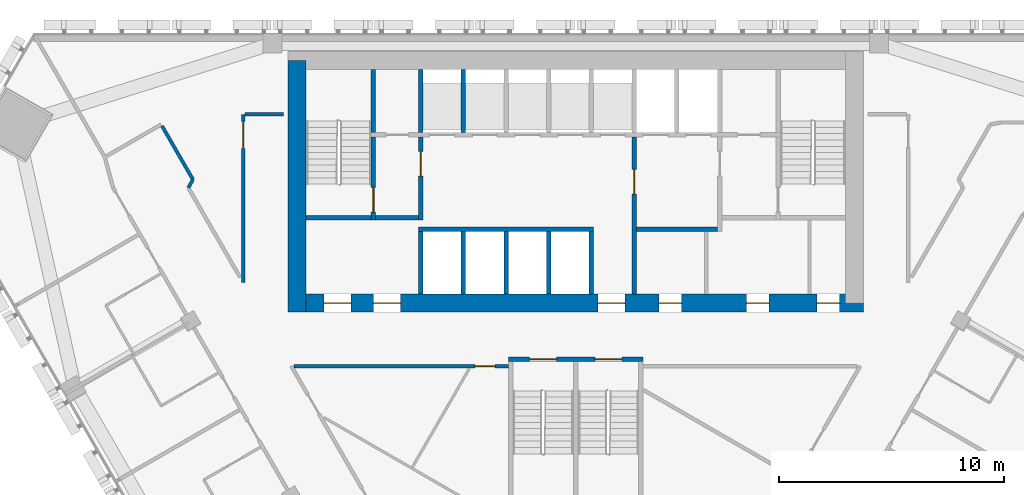
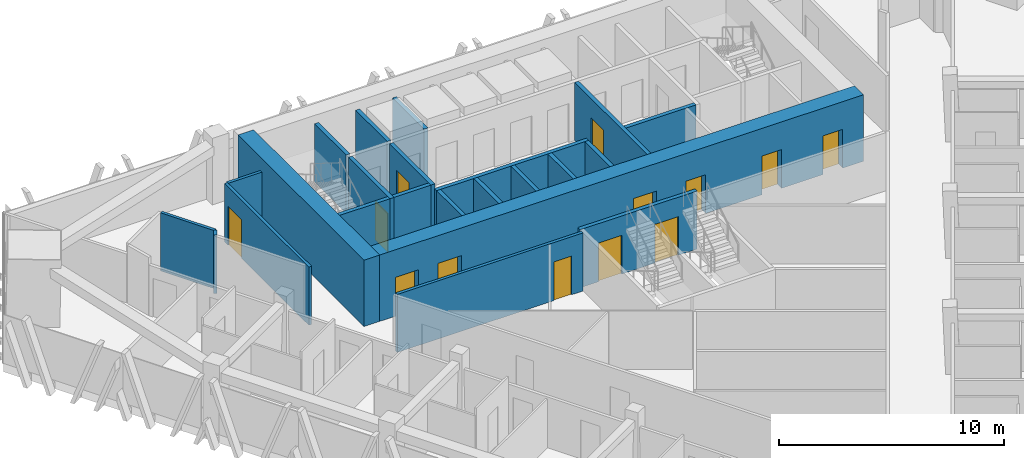
# One storey, part 11 of 16: 23 walls, 13 doors, 13 openings.
"""IFC4 building model written with IfcOpenShell, lengths in metres."""

from ifc_helpers import new_model, si_unit, direction, frame, frame_2d, origin, place, context, subcontext, project, spatial, rectangle, extrude, material, layer, layer_set, type_object, element, fill, save


model = new_model("IFC4")

# Units and contexts
model_context = context("Model", 3, precision=1e-05, world=origin(), true_north=direction((0.0, 1.0)))
body_context = subcontext(model_context, "Body", "Model", "MODEL_VIEW")
ifc_project = project(units=[si_unit("LENGTHUNIT", "METRE"), si_unit("AREAUNIT", "SQUARE_METRE"), si_unit("VOLUMEUNIT", "CUBIC_METRE"), si_unit("PLANEANGLEUNIT", "RADIAN"), si_unit("MASSUNIT", "GRAM", prefix="KILO")], contexts=[model_context])

# Site, building, storey
site_placement = place(None, origin())
site = spatial("IfcSite", under=ifc_project, at=site_placement, CompositionType="ELEMENT")
building_placement = place(site_placement, origin())
building = spatial("IfcBuilding", under=site, at=building_placement, Name="Altiplano Prism Tower", CompositionType="ELEMENT")
storey_placement = place(building_placement, frame((0.0, 0.0, 124.199951171875)))
storey = spatial("IfcBuildingStorey", under=building, at=storey_placement, Name="L31", CompositionType="ELEMENT", Elevation=124.199951171875)

# Wall, openings, doors
ifc_material_1 = material(Name="Concrete C60/75", Category="concrete")
ifc_layer_1 = layer(ifc_material_1, 0.800048828125)
ifc_layer_set_1 = layer_set([ifc_layer_1], Name="Concrete C60/75")
wall_type_1 = type_object("IfcWallType", Name="Core wall 800", PredefinedType="SHEAR", material=ifc_layer_set_1)
wall_1_placement = place(storey_placement, frame((72.60009765625, 93.0, 0.0), z_axis=(0.0, 0.0, 1.0), x_axis=(1.0, 0.0, 0.0)))
wall_1 = element("IfcWall", 1, at=wall_1_placement, inside=storey, type_object=wall_type_1, Name="Core wall S L31", PredefinedType="SHEAR", context=body_context, shape_type="SweptSolid", body=[
    extrude(rectangle(XDim=25.199951171875, YDim=0.800048828125, at=frame_2d((12.60009765625, 0.0))), origin(), (0.0, 0.0, 1.0), 3.60009765625),
])
opening_1_placement = place(wall_1_placement, frame((1.199951171875, 0.0, 0.0)))
opening_1 = element("IfcOpeningElement", 2, at=opening_1_placement, cuts=wall_1, Name="Opening D3003", PredefinedType="OPENING", context=body_context, shape_type="SweptSolid", body=[
    extrude(rectangle(XDim=1.199951171875, YDim=2.10009765625, at=frame_2d((0.60009765625, 1.050048828125))), frame((0.0, 0.41064453125, 0.0), z_axis=(0.0, -1.0, 0.0), x_axis=(1.0, 0.0, 0.0)), (0.0, 0.0, 1.0), 0.821044921875),
])
opening_2_placement = place(wall_1_placement, frame((3.39990234375, 0.0, 0.0)))
opening_2 = element("IfcOpeningElement", 3, at=opening_2_placement, cuts=wall_1, Name="Opening D3004", PredefinedType="OPENING", context=body_context, shape_type="SweptSolid", body=[
    extrude(rectangle(XDim=1.199951171875, YDim=2.10009765625, at=frame_2d((0.60009765625, 1.050048828125))), frame((0.0, 0.41064453125, 0.0), z_axis=(0.0, -1.0, 0.0), x_axis=(1.0, 0.0, 0.0)), (0.0, 0.0, 1.0), 0.821044921875),
])
opening_3_placement = place(wall_1_placement, frame((13.39990234375, 0.0, 0.0)))
opening_3 = element("IfcOpeningElement", 4, at=opening_3_placement, cuts=wall_1, Name="Opening D3005", PredefinedType="OPENING", context=body_context, shape_type="SweptSolid", body=[
    extrude(rectangle(XDim=1.199951171875, YDim=2.10009765625, at=frame_2d((0.60009765625, 1.050048828125))), frame((0.0, 0.41064453125, 0.0), z_axis=(0.0, -1.0, 0.0), x_axis=(1.0, 0.0, 0.0)), (0.0, 0.0, 1.0), 0.821044921875),
])
opening_4_placement = place(wall_1_placement, frame((16.112548828125, 0.0, 0.0)))
opening_4 = element("IfcOpeningElement", 5, at=opening_4_placement, cuts=wall_1, Name="Opening D3008", PredefinedType="OPENING", context=body_context, shape_type="SweptSolid", body=[
    extrude(rectangle(XDim=1.0, YDim=2.10009765625, at=frame_2d((0.5, 1.050048828125))), frame((0.0, 0.41064453125, 0.0), z_axis=(0.0, -1.0, 0.0), x_axis=(1.0, 0.0, 0.0)), (0.0, 0.0, 1.0), 0.821044921875),
])
opening_5_placement = place(wall_1_placement, frame((20.0, 0.0, 0.0)))
opening_5 = element("IfcOpeningElement", 6, at=opening_5_placement, cuts=wall_1, Name="Opening D3009", PredefinedType="OPENING", context=body_context, shape_type="SweptSolid", body=[
    extrude(rectangle(XDim=1.0, YDim=2.10009765625, at=frame_2d((0.5, 1.050048828125))), frame((0.0, 0.41064453125, 0.0), z_axis=(0.0, -1.0, 0.0), x_axis=(1.0, 0.0, 0.0)), (0.0, 0.0, 1.0), 0.821044921875),
])
opening_6_placement = place(wall_1_placement, frame((23.137451171875, 0.0, 0.0)))
opening_6 = element("IfcOpeningElement", 7, at=opening_6_placement, cuts=wall_1, Name="Opening D3010", PredefinedType="OPENING", context=body_context, shape_type="SweptSolid", body=[
    extrude(rectangle(XDim=1.0, YDim=2.10009765625, at=frame_2d((0.5, 1.050048828125))), frame((0.0, 0.41064453125, 0.0), z_axis=(0.0, -1.0, 0.0), x_axis=(1.0, 0.0, 0.0)), (0.0, 0.0, 1.0), 0.821044921875),
])
ifc_material_2 = material(Name="Fire-rated steel door", Category="steel")
door_type_1 = type_object("IfcDoorType", Name="Core room door 1000 x 2100", OperationType="NOTDEFINED", PredefinedType="NOTDEFINED", material=ifc_material_2)
door_1_placement = place(opening_4_placement, origin())
door_1 = element("IfcDoor", 8, at=door_1_placement, inside=storey, type_object=door_type_1, Name="Core room door D3008", OperationType="SINGLE_SWING_RIGHT", OverallHeight=2.10009765625, OverallWidth=1.0, PredefinedType="NOTDEFINED", context=body_context, shape_type="SweptSolid", body=[
    extrude(rectangle(XDim=1.0, YDim=2.10009765625, at=frame_2d((0.5, 1.050048828125))), frame((0.0, 0.02490234375, 0.0), z_axis=(0.0, -1.0, 0.0), x_axis=(1.0, 0.0, 0.0)), (0.0, 0.0, 1.0), 0.050048828125),
])
fill(opening_4, door_1)
door_2_placement = place(opening_5_placement, origin())
door_2 = element("IfcDoor", 9, at=door_2_placement, inside=storey, type_object=door_type_1, Name="Core room door D3009", OperationType="SINGLE_SWING_LEFT", OverallHeight=2.10009765625, OverallWidth=1.0, PredefinedType="NOTDEFINED", context=body_context, shape_type="SweptSolid", body=[
    extrude(rectangle(XDim=1.0, YDim=2.10009765625, at=frame_2d((0.5, 1.050048828125))), frame((0.0, 0.02490234375, 0.0), z_axis=(0.0, -1.0, 0.0), x_axis=(1.0, 0.0, 0.0)), (0.0, 0.0, 1.0), 0.050048828125),
])
fill(opening_5, door_2)
door_3_placement = place(opening_6_placement, origin())
door_3 = element("IfcDoor", 10, at=door_3_placement, inside=storey, type_object=door_type_1, Name="Core room door D3010", OperationType="SINGLE_SWING_RIGHT", OverallHeight=2.10009765625, OverallWidth=1.0, PredefinedType="NOTDEFINED", context=body_context, shape_type="SweptSolid", body=[
    extrude(rectangle(XDim=1.0, YDim=2.10009765625, at=frame_2d((0.5, 1.050048828125))), frame((0.0, 0.02490234375, 0.0), z_axis=(0.0, -1.0, 0.0), x_axis=(1.0, 0.0, 0.0)), (0.0, 0.0, 1.0), 0.050048828125),
])
fill(opening_6, door_3)
door_type_2 = type_object("IfcDoorType", Name="Lobby fire door 1200 x 2100", OperationType="NOTDEFINED", PredefinedType="NOTDEFINED", material=ifc_material_2)
door_4_placement = place(opening_1_placement, origin())
door_4 = element("IfcDoor", 11, at=door_4_placement, inside=storey, type_object=door_type_2, Name="Lobby fire door D3003", OperationType="SINGLE_SWING_RIGHT", OverallHeight=2.10009765625, OverallWidth=1.199951171875, PredefinedType="NOTDEFINED", context=body_context, shape_type="SweptSolid", body=[
    extrude(rectangle(XDim=1.199951171875, YDim=2.10009765625, at=frame_2d((0.60009765625, 1.050048828125))), frame((0.0, 0.02490234375, 0.0), z_axis=(0.0, -1.0, 0.0), x_axis=(1.0, 0.0, 0.0)), (0.0, 0.0, 1.0), 0.050048828125),
])
fill(opening_1, door_4)
door_5_placement = place(opening_2_placement, origin())
door_5 = element("IfcDoor", 12, at=door_5_placement, inside=storey, type_object=door_type_2, Name="Lobby fire door D3004", OperationType="SINGLE_SWING_LEFT", OverallHeight=2.10009765625, OverallWidth=1.199951171875, PredefinedType="NOTDEFINED", context=body_context, shape_type="SweptSolid", body=[
    extrude(rectangle(XDim=1.199951171875, YDim=2.10009765625, at=frame_2d((0.60009765625, 1.050048828125))), frame((0.0, 0.02490234375, 0.0), z_axis=(0.0, -1.0, 0.0), x_axis=(1.0, 0.0, 0.0)), (0.0, 0.0, 1.0), 0.050048828125),
])
fill(opening_2, door_5)
door_6_placement = place(opening_3_placement, origin())
door_6 = element("IfcDoor", 13, at=door_6_placement, inside=storey, type_object=door_type_2, Name="Lobby fire door D3005", OperationType="SINGLE_SWING_RIGHT", OverallHeight=2.10009765625, OverallWidth=1.199951171875, PredefinedType="NOTDEFINED", context=body_context, shape_type="SweptSolid", body=[
    extrude(rectangle(XDim=1.199951171875, YDim=2.10009765625, at=frame_2d((0.60009765625, 1.050048828125))), frame((0.0, 0.02490234375, 0.0), z_axis=(0.0, -1.0, 0.0), x_axis=(1.0, 0.0, 0.0)), (0.0, 0.0, 1.0), 0.050048828125),
])
fill(opening_3, door_6)

# Wall
wall_2_placement = place(storey_placement, frame((72.60009765625, 103.800048828125, 0.0), z_axis=(0.0, 0.0, 1.0), x_axis=(0.0, -1.0, 0.0)))
element("IfcWall", 14, at=wall_2_placement, inside=storey, type_object=wall_type_1, Name="Core wall W L31", PredefinedType="SHEAR", context=body_context, shape_type="SweptSolid", body=[
    extrude(rectangle(XDim=11.199951171875, YDim=0.800048828125, at=frame_2d((5.60009765625, 0.0))), origin(), (0.0, 0.0, 1.0), 3.60009765625),
])

# Wall, opening, door
ifc_material_3 = material(Name="Plasterboard on steel stud", Category="steel")
ifc_layer_2 = layer(ifc_material_3, 0.14990234375)
ifc_layer_set_2 = layer_set([ifc_layer_2], Name="Plasterboard on steel stud")
wall_type_2 = type_object("IfcWallType", Name="Partition 150 corridor", PredefinedType="PARTITIONING", material=ifc_layer_set_2)
wall_3_placement = place(storey_placement, frame((72.475341796875, 90.199951171875, 0.0), z_axis=(0.0, 0.0, 1.0), x_axis=(1.0, 0.0, 0.0)))
wall_3 = element("IfcWall", 15, at=wall_3_placement, inside=storey, type_object=wall_type_2, Name="Partition P06 L31 001", PredefinedType="PARTITIONING", context=body_context, shape_type="SweptSolid", body=[
    extrude(rectangle(XDim=9.524658203125, YDim=0.14990234375, at=frame_2d((4.76220703125, 0.0))), origin(), (0.0, 0.0, 1.0), 3.150146484375),
])
opening_7_placement = place(wall_3_placement, frame((8.041015625, 0.0, 0.0)))
opening_7 = element("IfcOpeningElement", 16, at=opening_7_placement, cuts=wall_3, Name="Opening D1093", PredefinedType="OPENING", context=body_context, shape_type="SweptSolid", body=[
    extrude(rectangle(XDim=0.89990234375, YDim=2.10009765625, at=frame_2d((0.449951171875, 1.050048828125))), frame((0.0, 0.08544921875, 0.0), z_axis=(0.0, -1.0, 0.0), x_axis=(1.0, 0.0, 0.0)), (0.0, 0.0, 1.0), 0.1708984375),
])
ifc_material_4 = material(Name="Timber", Category="wood")
door_type_3 = type_object("IfcDoorType", Name="Toilet door 900 x 2100", OperationType="NOTDEFINED", PredefinedType="NOTDEFINED", material=ifc_material_4)
door_7_placement = place(opening_7_placement, origin())
door_7 = element("IfcDoor", 17, at=door_7_placement, inside=storey, type_object=door_type_3, Name="Door D1093", OperationType="SINGLE_SWING_LEFT", OverallHeight=2.10009765625, OverallWidth=0.89990234375, PredefinedType="NOTDEFINED", context=body_context, shape_type="SweptSolid", body=[
    extrude(rectangle(XDim=0.89990234375, YDim=2.10009765625, at=frame_2d((0.449951171875, 1.050048828125))), frame((0.0, 0.02490234375, 0.0), z_axis=(0.0, -1.0, 0.0), x_axis=(1.0, 0.0, 0.0)), (0.0, 0.0, 1.0), 0.050048828125),
])
fill(opening_7, door_7)

# Wall
wall_4_placement = place(storey_placement, frame((72.0, 101.39990234375, 0.0), z_axis=(0.0, 0.0, 1.0), x_axis=(-1.0, 0.0, 0.0)))
element("IfcWall", 18, at=wall_4_placement, inside=storey, type_object=wall_type_2, Name="Partition P06 L31 009", PredefinedType="PARTITIONING", context=body_context, shape_type="SweptSolid", body=[
    extrude(rectangle(XDim=1.72509765625, YDim=0.14990234375, at=frame_2d((0.862548828125, 0.0))), origin(), (0.0, 0.0, 1.0), 3.150146484375),
])

# Wall, opening, door
wall_5_placement = place(storey_placement, frame((70.199951171875, 101.39990234375, 0.0), z_axis=(0.0, 0.0, 1.0), x_axis=(0.0, -1.0, 0.0)))
wall_5 = element("IfcWall", 19, at=wall_5_placement, inside=storey, type_object=wall_type_2, Name="Partition P06 L31 010", PredefinedType="PARTITIONING", context=body_context, shape_type="SweptSolid", body=[
    extrude(rectangle(XDim=7.484130859375, YDim=0.14990234375, at=frame_2d((3.7421875, 0.0))), origin(), (0.0, 0.0, 1.0), 3.150146484375),
])
opening_8_placement = place(wall_5_placement, frame((0.31591796875, 0.0, 0.0)))
opening_8 = element("IfcOpeningElement", 20, at=opening_8_placement, cuts=wall_5, Name="Opening D1129", PredefinedType="OPENING", context=body_context, shape_type="SweptSolid", body=[
    extrude(rectangle(XDim=1.199951171875, YDim=2.10009765625, at=frame_2d((0.60009765625, 1.050048828125))), frame((0.0, 0.08544921875, 0.0), z_axis=(0.0, -1.0, 0.0), x_axis=(1.0, 0.0, 0.0)), (0.0, 0.0, 1.0), 0.1708984375),
])
door_type_4 = type_object("IfcDoorType", Name="Shared room door 1200 x 2100", OperationType="NOTDEFINED", PredefinedType="NOTDEFINED", material=ifc_material_4)
door_8_placement = place(opening_8_placement, origin())
door_8 = element("IfcDoor", 21, at=door_8_placement, inside=storey, type_object=door_type_4, Name="Door D1129", OperationType="SINGLE_SWING_LEFT", OverallHeight=2.10009765625, OverallWidth=1.199951171875, PredefinedType="NOTDEFINED", context=body_context, shape_type="SweptSolid", body=[
    extrude(rectangle(XDim=1.199951171875, YDim=2.10009765625, at=frame_2d((0.60009765625, 1.050048828125))), frame((0.0, 0.02490234375, 0.0), z_axis=(0.0, -1.0, 0.0), x_axis=(1.0, 0.0, 0.0)), (0.0, 0.0, 1.0), 0.050048828125),
])
fill(opening_8, door_8)

# Walls
wall_6_placement = place(storey_placement, frame((67.761474609375, 98.139404296875, 0.0), z_axis=(0.0, 0.0, 1.0), x_axis=(0.49967168172, 0.866214875471, 0.0)))
element("IfcWall", 22, at=wall_6_placement, inside=storey, type_object=wall_type_2, Name="Partition P06 L31 012", PredefinedType="PARTITIONING", context=body_context, shape_type="SweptSolid", body=[
    extrude(rectangle(XDim=0.416259765625, YDim=0.14990234375, at=frame_2d((0.2080078125, 0.0))), origin(), (0.0, 0.0, 1.0), 3.150146484375),
])
wall_7_placement = place(storey_placement, frame((67.969482421875, 98.5, 0.0), z_axis=(0.0, 0.0, 1.0), x_axis=(-0.499991038717, 0.866030577522, 0.0)))
element("IfcWall", 23, at=wall_7_placement, inside=storey, type_object=wall_type_2, Name="Partition P06 L31 013", PredefinedType="PARTITIONING", context=body_context, shape_type="SweptSolid", body=[
    extrude(rectangle(XDim=2.75390625, YDim=0.14990234375, at=frame_2d((1.376953125, 0.0))), origin(), (0.0, 0.0, 1.0), 3.150146484375),
])
ifc_layer_3 = layer(ifc_material_1, 0.199951171875)
ifc_layer_set_3 = layer_set([ifc_layer_3], Name="Concrete C60/75")
wall_type_3 = type_object("IfcWallType", Name="Shaft wall 200", PredefinedType="SOLIDWALL", material=ifc_layer_set_3)
for number, where, z_axis, x_axis, name in (
    (24, (78.10009765625, 93.39990234375, 0.0), (0.0, 0.0, 1.0), (0.0, 1.0, 0.0), "Shaft wall L31"),
    (25, (80.0, 93.39990234375, 0.0), (0.0, 0.0, 1.0), (0.0, 1.0, 0.0), "Shaft wall L31"),
    (26, (81.89990234375, 93.39990234375, 0.0), (0.0, 0.0, 1.0), (0.0, 1.0, 0.0), "Shaft wall L31"),
    (27, (83.800048828125, 93.39990234375, 0.0), (0.0, 0.0, 1.0), (0.0, 1.0, 0.0), "Shaft wall L31"),
    (28, (85.699951171875, 93.39990234375, 0.0), (0.0, 0.0, 1.0), (0.0, 1.0, 0.0), "Shaft wall L31"),
):
    element("IfcWall", number, at=place(storey_placement, frame(where, z_axis=z_axis, x_axis=x_axis)), inside=storey, type_object=wall_type_3, Name=name, PredefinedType="SOLIDWALL", context=body_context, shape_type="SweptSolid", body=[
        extrude(rectangle(XDim=2.800048828125, YDim=0.199951171875, at=frame_2d((1.39990234375, 0.0))), origin(), (0.0, 0.0, 1.0), 3.150146484375),
    ])
wall_8_placement = place(storey_placement, frame((78.0, 96.300048828125, 0.0), z_axis=(0.0, 0.0, 1.0), x_axis=(1.0, 0.0, 0.0)))
element("IfcWall", 29, at=wall_8_placement, inside=storey, type_object=wall_type_3, Name="Shaft wall L31", PredefinedType="SOLIDWALL", context=body_context, shape_type="SweptSolid", body=[
    extrude(rectangle(XDim=7.800048828125, YDim=0.199951171875, at=frame_2d((3.89990234375, 0.0))), origin(), (0.0, 0.0, 1.0), 3.150146484375),
])
for number, where, z_axis, x_axis, name in (
    (30, (78.10009765625, 100.60009765625, 0.0), (0.0, 0.0, 1.0), (0.0, 1.0, 0.0), "Shaft wall L31"),
    (31, (80.0, 100.60009765625, 0.0), (0.0, 0.0, 1.0), (0.0, 1.0, 0.0), "Shaft wall L31"),
):
    element("IfcWall", number, at=place(storey_placement, frame(where, z_axis=z_axis, x_axis=x_axis)), inside=storey, type_object=wall_type_3, Name=name, PredefinedType="SOLIDWALL", context=body_context, shape_type="SweptSolid", body=[
        extrude(rectangle(XDim=2.7998046875, YDim=0.199951171875, at=frame_2d((1.39990234375, 0.0))), origin(), (0.0, 0.0, 1.0), 3.150146484375),
    ])
ifc_layer_4 = layer(ifc_material_1, 0.199951171875)
ifc_layer_set_4 = layer_set([ifc_layer_4], Name="Concrete C60/75")
wall_type_4 = type_object("IfcWallType", Name="Stair wall 200", PredefinedType="SOLIDWALL", material=ifc_layer_set_4)
wall_9_placement = place(storey_placement, frame((73.0, 96.800048828125, 0.0), z_axis=(0.0, 0.0, 1.0), x_axis=(1.0, 0.0, 0.0)))
element("IfcWall", 32, at=wall_9_placement, inside=storey, type_object=wall_type_4, Name="Stair wall L31", PredefinedType="SOLIDWALL", context=body_context, shape_type="SweptSolid", body=[
    extrude(rectangle(XDim=2.89990234375, YDim=0.199951171875, at=frame_2d((1.449951171875, 0.0))), origin(), (0.0, 0.0, 1.0), 3.150146484375),
])

# Wall, opening, door
wall_10_placement = place(storey_placement, frame((76.0, 96.699951171875, 0.0), z_axis=(0.0, 0.0, 1.0), x_axis=(0.0, 1.0, 0.0)))
wall_10 = element("IfcWall", 33, at=wall_10_placement, inside=storey, type_object=wall_type_4, Name="Stair wall L31", PredefinedType="SOLIDWALL", context=body_context, shape_type="SweptSolid", body=[
    extrude(rectangle(XDim=3.699951171875, YDim=0.199951171875, at=frame_2d((1.85009765625, 0.0))), origin(), (0.0, 0.0, 1.0), 3.150146484375),
])
opening_9_placement = place(wall_10_placement, frame((0.35009765625, 0.0, 0.0)))
opening_9 = element("IfcOpeningElement", 34, at=opening_9_placement, cuts=wall_10, Name="Opening D2998", PredefinedType="OPENING", context=body_context, shape_type="SweptSolid", body=[
    extrude(rectangle(XDim=1.10009765625, YDim=2.10009765625, at=frame_2d((0.550048828125, 1.050048828125))), frame((0.0, 0.1103515625, 0.0), z_axis=(0.0, -1.0, 0.0), x_axis=(1.0, 0.0, 0.0)), (0.0, 0.0, 1.0), 0.220947265625),
])
door_type_5 = type_object("IfcDoorType", Name="Stair fire door 1100 x 2100", OperationType="NOTDEFINED", PredefinedType="NOTDEFINED", material=ifc_material_2)
door_9_placement = place(opening_9_placement, origin())
door_9 = element("IfcDoor", 35, at=door_9_placement, inside=storey, type_object=door_type_5, Name="Stair fire door D2998", OperationType="SINGLE_SWING_RIGHT", OverallHeight=2.10009765625, OverallWidth=1.10009765625, PredefinedType="NOTDEFINED", context=body_context, shape_type="SweptSolid", body=[
    extrude(rectangle(XDim=1.10009765625, YDim=2.10009765625, at=frame_2d((0.550048828125, 1.050048828125))), frame((0.0, 0.02490234375, 0.0), z_axis=(0.0, -1.0, 0.0), x_axis=(1.0, 0.0, 0.0)), (0.0, 0.0, 1.0), 0.050048828125),
])
fill(opening_9, door_9)

# Wall
wall_11_placement = place(storey_placement, frame((76.0, 100.60009765625, 0.0), z_axis=(0.0, 0.0, 1.0), x_axis=(0.0, 1.0, 0.0)))
element("IfcWall", 36, at=wall_11_placement, inside=storey, type_object=wall_type_4, Name="Stair wall L31", PredefinedType="SOLIDWALL", context=body_context, shape_type="SweptSolid", body=[
    extrude(rectangle(XDim=2.7998046875, YDim=0.199951171875, at=frame_2d((1.39990234375, 0.0))), origin(), (0.0, 0.0, 1.0), 3.150146484375),
])

# Wall, openings, doors
wall_12_placement = place(storey_placement, frame((82.0, 90.5, 0.0), z_axis=(0.0, 0.0, 1.0), x_axis=(1.0, 0.0, 0.0)))
wall_12 = element("IfcWall", 37, at=wall_12_placement, inside=storey, type_object=wall_type_4, Name="Stair 3 wall north L31", PredefinedType="SOLIDWALL", context=body_context, shape_type="SweptSolid", body=[
    extrude(rectangle(XDim=6.0, YDim=0.199951171875, at=frame_2d((3.0, 0.0))), origin(), (0.0, 0.0, 1.0), 3.150146484375),
])
opening_10_placement = place(wall_12_placement, frame((0.949951171875, 0.0, 0.0)))
opening_10 = element("IfcOpeningElement", 38, at=opening_10_placement, cuts=wall_12, Name="Opening D3984", PredefinedType="OPENING", context=body_context, shape_type="SweptSolid", body=[
    extrude(rectangle(XDim=1.199951171875, YDim=2.10009765625, at=frame_2d((0.60009765625, 1.050048828125))), frame((0.0, 0.1103515625, 0.0), z_axis=(0.0, -1.0, 0.0), x_axis=(1.0, 0.0, 0.0)), (0.0, 0.0, 1.0), 0.220947265625),
])
opening_11_placement = place(wall_12_placement, frame((3.85009765625, 0.0, 0.0)))
opening_11 = element("IfcOpeningElement", 39, at=opening_11_placement, cuts=wall_12, Name="Opening D3985", PredefinedType="OPENING", context=body_context, shape_type="SweptSolid", body=[
    extrude(rectangle(XDim=1.199951171875, YDim=2.10009765625, at=frame_2d((0.60009765625, 1.050048828125))), frame((0.0, 0.1103515625, 0.0), z_axis=(0.0, -1.0, 0.0), x_axis=(1.0, 0.0, 0.0)), (0.0, 0.0, 1.0), 0.220947265625),
])
door_type_6 = type_object("IfcDoorType", Name="Stair fire door 1200 x 2100", OperationType="NOTDEFINED", PredefinedType="NOTDEFINED", material=ifc_material_2)
door_10_placement = place(opening_10_placement, origin())
door_10 = element("IfcDoor", 40, at=door_10_placement, inside=storey, type_object=door_type_6, Name="Stair fire door D3984", OperationType="SINGLE_SWING_LEFT", OverallHeight=2.10009765625, OverallWidth=1.199951171875, PredefinedType="NOTDEFINED", context=body_context, shape_type="SweptSolid", body=[
    extrude(rectangle(XDim=1.199951171875, YDim=2.10009765625, at=frame_2d((0.60009765625, 1.050048828125))), frame((0.0, 0.02490234375, 0.0), z_axis=(0.0, -1.0, 0.0), x_axis=(1.0, 0.0, 0.0)), (0.0, 0.0, 1.0), 0.050048828125),
])
fill(opening_10, door_10)
door_11_placement = place(opening_11_placement, origin())
door_11 = element("IfcDoor", 41, at=door_11_placement, inside=storey, type_object=door_type_6, Name="Stair fire door D3985", OperationType="SINGLE_SWING_LEFT", OverallHeight=2.10009765625, OverallWidth=1.199951171875, PredefinedType="NOTDEFINED", context=body_context, shape_type="SweptSolid", body=[
    extrude(rectangle(XDim=1.199951171875, YDim=2.10009765625, at=frame_2d((0.60009765625, 1.050048828125))), frame((0.0, 0.02490234375, 0.0), z_axis=(0.0, -1.0, 0.0), x_axis=(1.0, 0.0, 0.0)), (0.0, 0.0, 1.0), 0.050048828125),
])
fill(opening_11, door_11)

# Wall, opening, door
ifc_layer_5 = layer(ifc_material_1, 0.199951171875)
ifc_layer_set_5 = layer_set([ifc_layer_5], Name="Concrete C60/75")
wall_type_5 = type_object("IfcWallType", Name="Vestibule wall 200", PredefinedType="PARTITIONING", material=ifc_layer_set_5)
wall_13_placement = place(storey_placement, frame((87.60009765625, 93.39990234375, 0.0), z_axis=(0.0, 0.0, 1.0), x_axis=(0.0, 1.0, 0.0)))
wall_13 = element("IfcWall", 42, at=wall_13_placement, inside=storey, type_object=wall_type_5, Name="Vestibule wall L31", PredefinedType="PARTITIONING", context=body_context, shape_type="SweptSolid", body=[
    extrude(rectangle(XDim=7.0, YDim=0.199951171875, at=frame_2d((3.5, 0.0))), origin(), (0.0, 0.0, 1.0), 3.150146484375),
])
opening_12_placement = place(wall_13_placement, frame((4.449951171875, 0.0, 0.0)))
opening_12 = element("IfcOpeningElement", 43, at=opening_12_placement, cuts=wall_13, Name="Opening D3001", PredefinedType="OPENING", context=body_context, shape_type="SweptSolid", body=[
    extrude(rectangle(XDim=1.10009765625, YDim=2.10009765625, at=frame_2d((0.550048828125, 1.050048828125))), frame((0.0, 0.1103515625, 0.0), z_axis=(0.0, -1.0, 0.0), x_axis=(1.0, 0.0, 0.0)), (0.0, 0.0, 1.0), 0.220947265625),
])
door_type_7 = type_object("IfcDoorType", Name="Vestibule fire door 1100 x 2100", OperationType="NOTDEFINED", PredefinedType="NOTDEFINED", material=ifc_material_2)
door_12_placement = place(opening_12_placement, origin())
door_12 = element("IfcDoor", 44, at=door_12_placement, inside=storey, type_object=door_type_7, Name="Vestibule fire door D3001", OperationType="SINGLE_SWING_RIGHT", OverallHeight=2.10009765625, OverallWidth=1.10009765625, PredefinedType="NOTDEFINED", context=body_context, shape_type="SweptSolid", body=[
    extrude(rectangle(XDim=1.10009765625, YDim=2.10009765625, at=frame_2d((0.550048828125, 1.050048828125))), frame((0.0, 0.02490234375, 0.0), z_axis=(0.0, -1.0, 0.0), x_axis=(1.0, 0.0, 0.0)), (0.0, 0.0, 1.0), 0.050048828125),
])
fill(opening_12, door_12)

# Walls
wall_14_placement = place(storey_placement, frame((87.699951171875, 96.300048828125, 0.0), z_axis=(0.0, 0.0, 1.0), x_axis=(1.0, 0.0, 0.0)))
element("IfcWall", 45, at=wall_14_placement, inside=storey, type_object=wall_type_5, Name="Vestibule wall L31", PredefinedType="PARTITIONING", context=body_context, shape_type="SweptSolid", body=[
    extrude(rectangle(XDim=3.60009765625, YDim=0.199951171875, at=frame_2d((1.800048828125, 0.0))), origin(), (0.0, 0.0, 1.0), 3.150146484375),
])
wall_15_placement = place(storey_placement, frame((76.10009765625, 96.800048828125, 0.0), z_axis=(0.0, 0.0, 1.0), x_axis=(1.0, 0.0, 0.0)))
element("IfcWall", 46, at=wall_15_placement, inside=storey, type_object=wall_type_5, Name="Vestibule wall L31", PredefinedType="PARTITIONING", context=body_context, shape_type="SweptSolid", body=[
    extrude(rectangle(XDim=1.89990234375, YDim=0.199951171875, at=frame_2d((0.949951171875, 0.0))), origin(), (0.0, 0.0, 1.0), 3.150146484375),
])

# Wall, opening, door
wall_16_placement = place(storey_placement, frame((78.10009765625, 96.699951171875, 0.0), z_axis=(0.0, 0.0, 1.0), x_axis=(0.0, 1.0, 0.0)))
wall_16 = element("IfcWall", 47, at=wall_16_placement, inside=storey, type_object=wall_type_5, Name="Vestibule wall L31", PredefinedType="PARTITIONING", context=body_context, shape_type="SweptSolid", body=[
    extrude(rectangle(XDim=3.699951171875, YDim=0.199951171875, at=frame_2d((1.85009765625, 0.0))), origin(), (0.0, 0.0, 1.0), 3.150146484375),
])
opening_13_placement = place(wall_16_placement, frame((1.949951171875, 0.0, 0.0)))
opening_13 = element("IfcOpeningElement", 48, at=opening_13_placement, cuts=wall_16, Name="Opening D3000", PredefinedType="OPENING", context=body_context, shape_type="SweptSolid", body=[
    extrude(rectangle(XDim=1.10009765625, YDim=2.10009765625, at=frame_2d((0.550048828125, 1.050048828125))), frame((0.0, 0.1103515625, 0.0), z_axis=(0.0, -1.0, 0.0), x_axis=(1.0, 0.0, 0.0)), (0.0, 0.0, 1.0), 0.220947265625),
])
door_13_placement = place(opening_13_placement, origin())
door_13 = element("IfcDoor", 49, at=door_13_placement, inside=storey, type_object=door_type_7, Name="Vestibule fire door D3000", OperationType="SINGLE_SWING_LEFT", OverallHeight=2.10009765625, OverallWidth=1.10009765625, PredefinedType="NOTDEFINED", context=body_context, shape_type="SweptSolid", body=[
    extrude(rectangle(XDim=1.10009765625, YDim=2.10009765625, at=frame_2d((0.550048828125, 1.050048828125))), frame((0.0, 0.02490234375, 0.0), z_axis=(0.0, -1.0, 0.0), x_axis=(1.0, 0.0, 0.0)), (0.0, 0.0, 1.0), 0.050048828125),
])
fill(opening_13, door_13)

save(model, "model.ifc")
